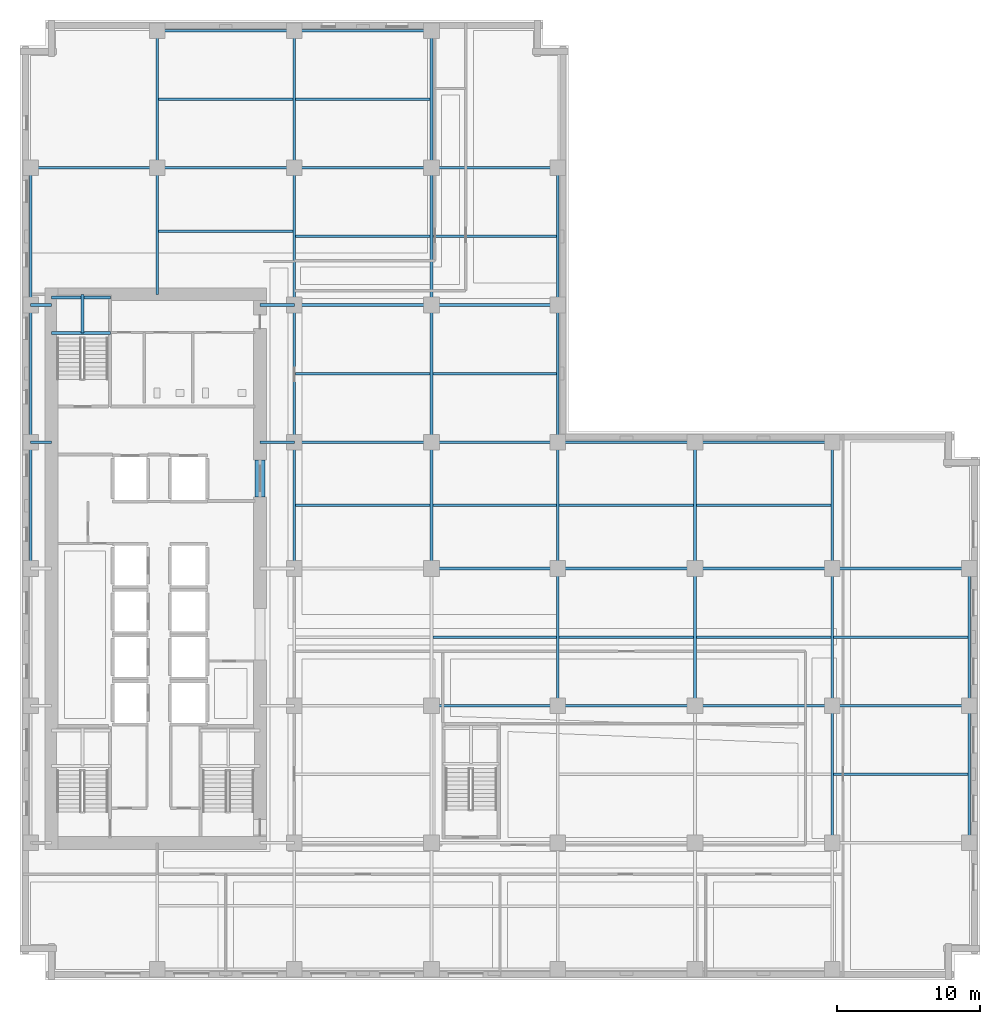
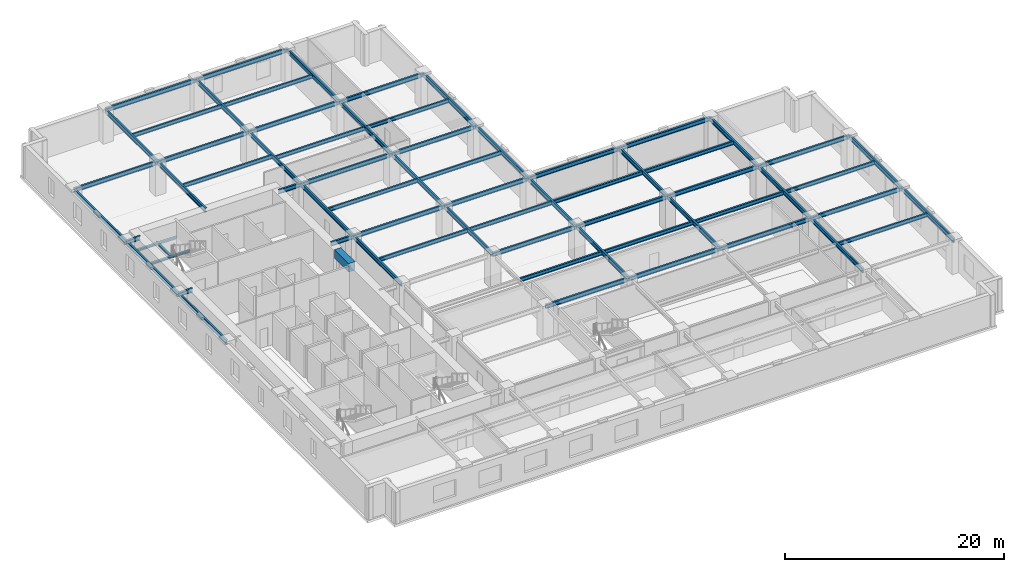
# One storey, part 2 of 13: 68 beams.
"""IFC4 building model written with IfcOpenShell, lengths in metres."""

from ifc_helpers import new_model, si_unit, direction, frame, origin, origin_2d, place, context, subcontext, project, spatial, rectangle, i_section, extrude, material, material_profile, profile_set, type_object, element, save


model = new_model("IFC4")

# Units and contexts
model_context = context("Model", 3, precision=1e-05, world=origin(), true_north=direction((0.0, 1.0)))
body_context = subcontext(model_context, "Body", "Model", "MODEL_VIEW")
ifc_project = project(units=[si_unit("LENGTHUNIT", "METRE"), si_unit("AREAUNIT", "SQUARE_METRE"), si_unit("VOLUMEUNIT", "CUBIC_METRE"), si_unit("PLANEANGLEUNIT", "RADIAN"), si_unit("MASSUNIT", "GRAM", prefix="KILO")], contexts=[model_context])

# Site, building, storey
site_placement = place(None, origin())
site = spatial("IfcSite", under=ifc_project, at=site_placement, CompositionType="ELEMENT")
building_placement = place(site_placement, origin())
building = spatial("IfcBuilding", under=site, at=building_placement, Name="Norrvale University Quadrangle", CompositionType="ELEMENT")
storey_placement = place(building_placement, frame((0.0, 0.0, 81.199951171875)))
storey = spatial("IfcBuildingStorey", under=building, at=storey_placement, Name="L20", CompositionType="ELEMENT", Elevation=81.199951171875)

# Beams
ifc_material_1 = material(Name="Steel 350W", Category="steel")
ifc_material_profile_1 = material_profile(ifc_material_1, i_section(OverallWidth=0.180908203125, OverallDepth=0.4169921875, WebThickness=0.010986328125, FlangeThickness=0.018310546875, FilletRadius=0.011962890625, at=origin_2d()), Name="Steel 350W")
ifc_profile_set_1 = profile_set([ifc_material_profile_1], Name="Steel 350W")
beam_type_1 = type_object("IfcBeamType", Name="Beam Atrium W410x85", PredefinedType="BEAM", material=ifc_profile_set_1)
beam_1_placement = place(storey_placement, frame((9.697021484375, 61.64990234375, 3.33154296875), z_axis=(1.0, 0.0, 0.0), x_axis=(0.0, 1.0, 0.0)))
element("IfcBeam", 1, at=beam_1_placement, inside=storey, type_object=beam_type_1, Name="Beam Atrium W410x85 BM-L20-J079", PredefinedType="BEAM", context=body_context, shape_type="SweptSolid", body=[
    extrude(i_section(OverallWidth=0.180908203125, OverallDepth=0.4169921875, WebThickness=0.010986328125, FlangeThickness=0.018310546875, FilletRadius=0.011962890625, at=origin_2d()), origin(), (0.0, 0.0, 1.0), 9.406005859375),
])
for number, where, z_axis, x_axis, name in (
    (2, (19.297119140625, 33.22509765625, 3.33154296875), (1.0, 0.0, 0.0), (0.0, 1.0, 0.0), "Beam Atrium W410x85 BM-L20-J083"),
    (3, (19.297119140625, 42.449951171875, 3.33154296875), (1.0, 0.0, 0.0), (0.0, 1.0, 0.0), "Beam Atrium W410x85 BM-L20-J084"),
    (4, (19.297119140625, 52.050048828125, 3.33154296875), (1.0, 0.0, 0.0), (0.0, 1.0, 0.0), "Beam Atrium W410x85 BM-L20-J085"),
    (5, (19.297119140625, 61.64990234375, 3.33154296875), (1.0, 0.0, 0.0), (0.0, 1.0, 0.0), "Beam Atrium W410x85 BM-L20-J086"),
):
    element("IfcBeam", number, at=place(storey_placement, frame(where, z_axis=z_axis, x_axis=x_axis)), inside=storey, type_object=beam_type_1, Name=name, PredefinedType="BEAM", context=body_context, shape_type="SweptSolid", body=[
        extrude(i_section(OverallWidth=0.180908203125, OverallDepth=0.4169921875, WebThickness=0.010986328125, FlangeThickness=0.018310546875, FilletRadius=0.011962890625, at=origin_2d()), origin(), (0.0, 0.0, 1.0), 9.40576171875),
    ])
for number, where, z_axis, x_axis, name in (
    (6, (28.89697265625, 24.0, 3.33154296875), (1.0, 0.0, 0.0), (0.0, 1.0, 0.0), "Beam Atrium W410x85 BM-L20-J088"),
    (7, (28.89697265625, 33.22509765625, 3.33154296875), (1.0, 0.0, 0.0), (0.0, 1.0, 0.0), "Beam Atrium W410x85 BM-L20-J089"),
    (8, (28.89697265625, 42.449951171875, 3.33154296875), (1.0, 0.0, 0.0), (0.0, 1.0, 0.0), "Beam Atrium W410x85 BM-L20-J090"),
    (9, (28.89697265625, 52.050048828125, 3.33154296875), (1.0, 0.0, 0.0), (0.0, 1.0, 0.0), "Beam Atrium W410x85 BM-L20-J091"),
):
    element("IfcBeam", number, at=place(storey_placement, frame(where, z_axis=z_axis, x_axis=x_axis)), inside=storey, type_object=beam_type_1, Name=name, PredefinedType="BEAM", context=body_context, shape_type="SweptSolid", body=[
        extrude(i_section(OverallWidth=0.180908203125, OverallDepth=0.4169921875, WebThickness=0.010986328125, FlangeThickness=0.018310546875, FilletRadius=0.011962890625, at=origin_2d()), origin(), (0.0, 0.0, 1.0), 8.656005859375),
    ])
for number, where, z_axis, x_axis, name in (
    (10, (37.7470703125, 24.0, 3.33154296875), (1.0, 0.0, 0.0), (0.0, 1.0, 0.0), "Beam Atrium W410x85 BM-L20-J094"),
    (11, (37.7470703125, 33.22509765625, 3.33154296875), (1.0, 0.0, 0.0), (0.0, 1.0, 0.0), "Beam Atrium W410x85 BM-L20-J095"),
    (12, (47.346923828125, 24.0, 3.33154296875), (1.0, 0.0, 0.0), (0.0, 1.0, 0.0), "Beam Atrium W410x85 BM-L20-J098"),
    (13, (47.346923828125, 33.22509765625, 3.33154296875), (1.0, 0.0, 0.0), (0.0, 1.0, 0.0), "Beam Atrium W410x85 BM-L20-J099"),
    (14, (56.947021484375, 14.39990234375, 3.33154296875), (1.0, 0.0, 0.0), (0.0, 1.0, 0.0), "Beam Atrium W410x85 BM-L20-J100"),
    (15, (56.947021484375, 24.0, 3.33154296875), (1.0, 0.0, 0.0), (0.0, 1.0, 0.0), "Beam Atrium W410x85 BM-L20-J101"),
    (16, (9.697021484375, 52.39990234375, 3.33154296875), (1.0, 0.0, 0.0), (0.0, 1.0, 0.0), "Beam Atrium W410x85 BM-L20-JCN105"),
):
    element("IfcBeam", number, at=place(storey_placement, frame(where, z_axis=z_axis, x_axis=x_axis)), inside=storey, type_object=beam_type_1, Name=name, PredefinedType="BEAM", context=body_context, shape_type="SweptSolid", body=[
        extrude(i_section(OverallWidth=0.180908203125, OverallDepth=0.4169921875, WebThickness=0.010986328125, FlangeThickness=0.018310546875, FilletRadius=0.011962890625, at=origin_2d()), origin(), (0.0, 0.0, 1.0), 9.406005859375),
    ])
ifc_material_2 = material(Name="Concrete C80/95", Category="concrete")
ifc_material_profile_2 = material_profile(ifc_material_2, rectangle(XDim=0.699951171875, YDim=0.949951171875, at=origin_2d()), Name="Concrete C80/95")
ifc_profile_set_2 = profile_set([ifc_material_profile_2], Name="Concrete C80/95")
beam_type_2 = type_object("IfcBeamType", Name="Beam Core Link 700x950", PredefinedType="LINTEL", material=ifc_profile_set_2)
beam_2_placement = place(storey_placement, frame((16.800048828125, 33.800048828125, 3.06494140625), z_axis=(0.0, 1.0, 0.0), x_axis=(-1.0, 0.0, 0.0)))
element("IfcBeam", 17, at=beam_2_placement, inside=storey, type_object=beam_type_2, Name="Core Coupling Lintel Beam L20-2", PredefinedType="LINTEL", context=body_context, shape_type="SweptSolid", body=[
    extrude(rectangle(XDim=0.699951171875, YDim=0.949951171875, at=origin_2d()), origin(), (0.0, 0.0, 1.0), 2.599853515625),
])
ifc_material_profile_3 = material_profile(ifc_material_1, i_section(OverallWidth=0.194091796875, OverallDepth=0.468994140625, WebThickness=0.0126953125, FlangeThickness=0.0205078125, FilletRadius=0.012939453125, at=origin_2d()), Name="Steel 350W")
ifc_profile_set_3 = profile_set([ifc_material_profile_3], Name="Steel 350W")
beam_type_3 = type_object("IfcBeamType", Name="Beam Floor W460x106", PredefinedType="BEAM", material=ifc_profile_set_3)
beam_3_placement = place(storey_placement, frame((28.800048828125, 19.199951171875, 3.3056640625), z_axis=(1.0, 0.0, 0.0), x_axis=(0.0, 1.0, 0.0)))
element("IfcBeam", 18, at=beam_3_placement, inside=storey, type_object=beam_type_3, Name="Beam Floor W460x106 BM-L20-GX012", PredefinedType="BEAM", context=body_context, shape_type="SweptSolid", body=[
    extrude(i_section(OverallWidth=0.194091796875, OverallDepth=0.468994140625, WebThickness=0.0126953125, FlangeThickness=0.0205078125, FilletRadius=0.012939453125, at=origin_2d()), origin(), (0.0, 0.0, 1.0), 8.849853515625),
])
for number, where, z_axis, x_axis, name in (
    (19, (37.64990234375, 19.199951171875, 3.3056640625), (1.0, 0.0, 0.0), (0.0, 1.0, 0.0), "Beam Floor W460x106 BM-L20-GX013"),
    (20, (47.25, 19.199951171875, 3.3056640625), (1.0, 0.0, 0.0), (0.0, 1.0, 0.0), "Beam Floor W460x106 BM-L20-GX014"),
):
    element("IfcBeam", number, at=place(storey_placement, frame(where, z_axis=z_axis, x_axis=x_axis)), inside=storey, type_object=beam_type_3, Name=name, PredefinedType="BEAM", context=body_context, shape_type="SweptSolid", body=[
        extrude(i_section(OverallWidth=0.194091796875, OverallDepth=0.468994140625, WebThickness=0.0126953125, FlangeThickness=0.0205078125, FilletRadius=0.012939453125, at=origin_2d()), origin(), (0.0, 0.0, 1.0), 9.60009765625),
    ])
beam_4_placement = place(storey_placement, frame((56.85009765625, 19.199951171875, 3.3056640625), z_axis=(1.0, 0.0, 0.0), x_axis=(0.0, 1.0, 0.0)))
element("IfcBeam", 21, at=beam_4_placement, inside=storey, type_object=beam_type_3, Name="Beam Floor W460x106 BM-L20-GX015", PredefinedType="BEAM", context=body_context, shape_type="SweptSolid", body=[
    extrude(i_section(OverallWidth=0.194091796875, OverallDepth=0.468994140625, WebThickness=0.0126953125, FlangeThickness=0.0205078125, FilletRadius=0.012939453125, at=origin_2d()), origin(), (0.0, 0.0, 1.0), 9.599853515625),
])
beam_5_placement = place(storey_placement, frame((28.800048828125, 28.800048828125, 3.3056640625), z_axis=(1.0, 0.0, 0.0), x_axis=(0.0, 1.0, 0.0)))
element("IfcBeam", 22, at=beam_5_placement, inside=storey, type_object=beam_type_3, Name="Beam Floor W460x106 BM-L20-GX017", PredefinedType="BEAM", context=body_context, shape_type="SweptSolid", body=[
    extrude(i_section(OverallWidth=0.194091796875, OverallDepth=0.468994140625, WebThickness=0.0126953125, FlangeThickness=0.0205078125, FilletRadius=0.012939453125, at=origin_2d()), origin(), (0.0, 0.0, 1.0), 8.849853515625),
])
for number, where, z_axis, x_axis, name in (
    (23, (37.64990234375, 28.800048828125, 3.3056640625), (1.0, 0.0, 0.0), (0.0, 1.0, 0.0), "Beam Floor W460x106 BM-L20-GX018"),
    (24, (47.25, 28.800048828125, 3.3056640625), (1.0, 0.0, 0.0), (0.0, 1.0, 0.0), "Beam Floor W460x106 BM-L20-GX019"),
):
    element("IfcBeam", number, at=place(storey_placement, frame(where, z_axis=z_axis, x_axis=x_axis)), inside=storey, type_object=beam_type_3, Name=name, PredefinedType="BEAM", context=body_context, shape_type="SweptSolid", body=[
        extrude(i_section(OverallWidth=0.194091796875, OverallDepth=0.468994140625, WebThickness=0.0126953125, FlangeThickness=0.0205078125, FilletRadius=0.012939453125, at=origin_2d()), origin(), (0.0, 0.0, 1.0), 9.60009765625),
    ])
beam_6_placement = place(storey_placement, frame((56.85009765625, 28.800048828125, 3.3056640625), z_axis=(1.0, 0.0, 0.0), x_axis=(0.0, 1.0, 0.0)))
element("IfcBeam", 25, at=beam_6_placement, inside=storey, type_object=beam_type_3, Name="Beam Floor W460x106 BM-L20-GX020", PredefinedType="BEAM", context=body_context, shape_type="SweptSolid", body=[
    extrude(i_section(OverallWidth=0.194091796875, OverallDepth=0.468994140625, WebThickness=0.0126953125, FlangeThickness=0.0205078125, FilletRadius=0.012939453125, at=origin_2d()), origin(), (0.0, 0.0, 1.0), 9.599853515625),
])
beam_7_placement = place(storey_placement, frame((19.199951171875, 37.64990234375, 3.3056640625), z_axis=(1.0, 0.0, 0.0), x_axis=(0.0, 1.0, 0.0)))
element("IfcBeam", 26, at=beam_7_placement, inside=storey, type_object=beam_type_3, Name="Beam Floor W460x106 BM-L20-GX021", PredefinedType="BEAM", context=body_context, shape_type="SweptSolid", body=[
    extrude(i_section(OverallWidth=0.194091796875, OverallDepth=0.468994140625, WebThickness=0.0126953125, FlangeThickness=0.0205078125, FilletRadius=0.012939453125, at=origin_2d()), origin(), (0.0, 0.0, 1.0), 9.60009765625),
])
beam_8_placement = place(storey_placement, frame((28.800048828125, 37.64990234375, 3.3056640625), z_axis=(1.0, 0.0, 0.0), x_axis=(0.0, 1.0, 0.0)))
element("IfcBeam", 27, at=beam_8_placement, inside=storey, type_object=beam_type_3, Name="Beam Floor W460x106 BM-L20-GX022", PredefinedType="BEAM", context=body_context, shape_type="SweptSolid", body=[
    extrude(i_section(OverallWidth=0.194091796875, OverallDepth=0.468994140625, WebThickness=0.0126953125, FlangeThickness=0.0205078125, FilletRadius=0.012939453125, at=origin_2d()), origin(), (0.0, 0.0, 1.0), 8.849853515625),
])
for number, where, z_axis, x_axis, name in (
    (28, (37.64990234375, 37.64990234375, 3.3056640625), (1.0, 0.0, 0.0), (0.0, 1.0, 0.0), "Beam Floor W460x106 BM-L20-GX023"),
    (29, (47.25, 37.64990234375, 3.3056640625), (1.0, 0.0, 0.0), (0.0, 1.0, 0.0), "Beam Floor W460x106 BM-L20-GX024"),
    (30, (19.199951171875, 47.25, 3.3056640625), (1.0, 0.0, 0.0), (0.0, 1.0, 0.0), "Beam Floor W460x106 BM-L20-GX025"),
):
    element("IfcBeam", number, at=place(storey_placement, frame(where, z_axis=z_axis, x_axis=x_axis)), inside=storey, type_object=beam_type_3, Name=name, PredefinedType="BEAM", context=body_context, shape_type="SweptSolid", body=[
        extrude(i_section(OverallWidth=0.194091796875, OverallDepth=0.468994140625, WebThickness=0.0126953125, FlangeThickness=0.0205078125, FilletRadius=0.012939453125, at=origin_2d()), origin(), (0.0, 0.0, 1.0), 9.60009765625),
    ])
beam_9_placement = place(storey_placement, frame((28.800048828125, 47.25, 3.3056640625), z_axis=(1.0, 0.0, 0.0), x_axis=(0.0, 1.0, 0.0)))
element("IfcBeam", 31, at=beam_9_placement, inside=storey, type_object=beam_type_3, Name="Beam Floor W460x106 BM-L20-GX026", PredefinedType="BEAM", context=body_context, shape_type="SweptSolid", body=[
    extrude(i_section(OverallWidth=0.194091796875, OverallDepth=0.468994140625, WebThickness=0.0126953125, FlangeThickness=0.0205078125, FilletRadius=0.012939453125, at=origin_2d()), origin(), (0.0, 0.0, 1.0), 8.849853515625),
])
beam_10_placement = place(storey_placement, frame((0.75, 56.85009765625, 3.3056640625), z_axis=(1.0, 0.0, 0.0), x_axis=(0.0, 1.0, 0.0)))
element("IfcBeam", 32, at=beam_10_placement, inside=storey, type_object=beam_type_3, Name="Beam Floor W460x106 BM-L20-GX027", PredefinedType="BEAM", context=body_context, shape_type="SweptSolid", body=[
    extrude(i_section(OverallWidth=0.194091796875, OverallDepth=0.468994140625, WebThickness=0.0126953125, FlangeThickness=0.0205078125, FilletRadius=0.012939453125, at=origin_2d()), origin(), (0.0, 0.0, 1.0), 8.85009765625),
])
beam_11_placement = place(storey_placement, frame((9.60009765625, 56.85009765625, 3.3056640625), z_axis=(1.0, 0.0, 0.0), x_axis=(0.0, 1.0, 0.0)))
element("IfcBeam", 33, at=beam_11_placement, inside=storey, type_object=beam_type_3, Name="Beam Floor W460x106 BM-L20-GX028", PredefinedType="BEAM", context=body_context, shape_type="SweptSolid", body=[
    extrude(i_section(OverallWidth=0.194091796875, OverallDepth=0.468994140625, WebThickness=0.0126953125, FlangeThickness=0.0205078125, FilletRadius=0.012939453125, at=origin_2d()), origin(), (0.0, 0.0, 1.0), 9.599853515625),
])
beam_12_placement = place(storey_placement, frame((19.199951171875, 56.85009765625, 3.3056640625), z_axis=(1.0, 0.0, 0.0), x_axis=(0.0, 1.0, 0.0)))
element("IfcBeam", 34, at=beam_12_placement, inside=storey, type_object=beam_type_3, Name="Beam Floor W460x106 BM-L20-GX029", PredefinedType="BEAM", context=body_context, shape_type="SweptSolid", body=[
    extrude(i_section(OverallWidth=0.194091796875, OverallDepth=0.468994140625, WebThickness=0.0126953125, FlangeThickness=0.0205078125, FilletRadius=0.012939453125, at=origin_2d()), origin(), (0.0, 0.0, 1.0), 9.60009765625),
])
beam_13_placement = place(storey_placement, frame((28.800048828125, 56.85009765625, 3.3056640625), z_axis=(1.0, 0.0, 0.0), x_axis=(0.0, 1.0, 0.0)))
element("IfcBeam", 35, at=beam_13_placement, inside=storey, type_object=beam_type_3, Name="Beam Floor W460x106 BM-L20-GX030", PredefinedType="BEAM", context=body_context, shape_type="SweptSolid", body=[
    extrude(i_section(OverallWidth=0.194091796875, OverallDepth=0.468994140625, WebThickness=0.0126953125, FlangeThickness=0.0205078125, FilletRadius=0.012939453125, at=origin_2d()), origin(), (0.0, 0.0, 1.0), 8.849853515625),
])
beam_14_placement = place(storey_placement, frame((9.60009765625, 66.449951171875, 3.3056640625), z_axis=(1.0, 0.0, 0.0), x_axis=(0.0, 1.0, 0.0)))
element("IfcBeam", 36, at=beam_14_placement, inside=storey, type_object=beam_type_3, Name="Beam Floor W460x106 BM-L20-GX031", PredefinedType="BEAM", context=body_context, shape_type="SweptSolid", body=[
    extrude(i_section(OverallWidth=0.194091796875, OverallDepth=0.468994140625, WebThickness=0.0126953125, FlangeThickness=0.0205078125, FilletRadius=0.012939453125, at=origin_2d()), origin(), (0.0, 0.0, 1.0), 9.599853515625),
])
beam_15_placement = place(storey_placement, frame((19.199951171875, 66.449951171875, 3.3056640625), z_axis=(1.0, 0.0, 0.0), x_axis=(0.0, 1.0, 0.0)))
element("IfcBeam", 37, at=beam_15_placement, inside=storey, type_object=beam_type_3, Name="Beam Floor W460x106 BM-L20-GX032", PredefinedType="BEAM", context=body_context, shape_type="SweptSolid", body=[
    extrude(i_section(OverallWidth=0.194091796875, OverallDepth=0.468994140625, WebThickness=0.0126953125, FlangeThickness=0.0205078125, FilletRadius=0.012939453125, at=origin_2d()), origin(), (0.0, 0.0, 1.0), 9.60009765625),
])
beam_16_placement = place(storey_placement, frame((0.75, 28.800048828125, 3.3056640625), z_axis=(0.0, 1.0, 0.0), x_axis=(-1.0, 0.0, 0.0)))
element("IfcBeam", 38, at=beam_16_placement, inside=storey, type_object=beam_type_3, Name="Beam Floor W460x106 BM-L20-GY035", PredefinedType="BEAM", context=body_context, shape_type="SweptSolid", body=[
    extrude(i_section(OverallWidth=0.194091796875, OverallDepth=0.468994140625, WebThickness=0.0126953125, FlangeThickness=0.0205078125, FilletRadius=0.012939453125, at=origin_2d()), origin(), (0.0, 0.0, 1.0), 8.849853515625),
])
for number, where, z_axis, x_axis, name in (
    (39, (0.75, 37.64990234375, 3.3056640625), (0.0, 1.0, 0.0), (-1.0, 0.0, 0.0), "Beam Floor W460x106 BM-L20-GY036"),
    (40, (0.75, 47.25, 3.3056640625), (0.0, 1.0, 0.0), (-1.0, 0.0, 0.0), "Beam Floor W460x106 BM-L20-GY037"),
):
    element("IfcBeam", number, at=place(storey_placement, frame(where, z_axis=z_axis, x_axis=x_axis)), inside=storey, type_object=beam_type_3, Name=name, PredefinedType="BEAM", context=body_context, shape_type="SweptSolid", body=[
        extrude(i_section(OverallWidth=0.194091796875, OverallDepth=0.468994140625, WebThickness=0.0126953125, FlangeThickness=0.0205078125, FilletRadius=0.012939453125, at=origin_2d()), origin(), (0.0, 0.0, 1.0), 9.60009765625),
    ])
beam_17_placement = place(storey_placement, frame((9.60009765625, 56.85009765625, 3.3056640625), z_axis=(0.0, 1.0, 0.0), x_axis=(-1.0, 0.0, 0.0)))
element("IfcBeam", 41, at=beam_17_placement, inside=storey, type_object=beam_type_3, Name="Beam Floor W460x106 BM-L20-GY038", PredefinedType="BEAM", context=body_context, shape_type="SweptSolid", body=[
    extrude(i_section(OverallWidth=0.194091796875, OverallDepth=0.468994140625, WebThickness=0.0126953125, FlangeThickness=0.0205078125, FilletRadius=0.012939453125, at=origin_2d()), origin(), (0.0, 0.0, 1.0), 9.599853515625),
])
beam_18_placement = place(storey_placement, frame((19.199951171875, 28.800048828125, 3.3056640625), z_axis=(0.0, 1.0, 0.0), x_axis=(-1.0, 0.0, 0.0)))
element("IfcBeam", 42, at=beam_18_placement, inside=storey, type_object=beam_type_3, Name="Beam Floor W460x106 BM-L20-GY042", PredefinedType="BEAM", context=body_context, shape_type="SweptSolid", body=[
    extrude(i_section(OverallWidth=0.194091796875, OverallDepth=0.468994140625, WebThickness=0.0126953125, FlangeThickness=0.0205078125, FilletRadius=0.012939453125, at=origin_2d()), origin(), (0.0, 0.0, 1.0), 8.849853515625),
])
for number, where, z_axis, x_axis, name in (
    (43, (19.199951171875, 37.64990234375, 3.3056640625), (0.0, 1.0, 0.0), (-1.0, 0.0, 0.0), "Beam Floor W460x106 BM-L20-GY043"),
    (44, (19.199951171875, 47.25, 3.3056640625), (0.0, 1.0, 0.0), (-1.0, 0.0, 0.0), "Beam Floor W460x106 BM-L20-GY044"),
):
    element("IfcBeam", number, at=place(storey_placement, frame(where, z_axis=z_axis, x_axis=x_axis)), inside=storey, type_object=beam_type_3, Name=name, PredefinedType="BEAM", context=body_context, shape_type="SweptSolid", body=[
        extrude(i_section(OverallWidth=0.194091796875, OverallDepth=0.468994140625, WebThickness=0.0126953125, FlangeThickness=0.0205078125, FilletRadius=0.012939453125, at=origin_2d()), origin(), (0.0, 0.0, 1.0), 9.60009765625),
    ])
beam_19_placement = place(storey_placement, frame((19.199951171875, 56.85009765625, 3.3056640625), z_axis=(0.0, 1.0, 0.0), x_axis=(-1.0, 0.0, 0.0)))
element("IfcBeam", 45, at=beam_19_placement, inside=storey, type_object=beam_type_3, Name="Beam Floor W460x106 BM-L20-GY045", PredefinedType="BEAM", context=body_context, shape_type="SweptSolid", body=[
    extrude(i_section(OverallWidth=0.194091796875, OverallDepth=0.468994140625, WebThickness=0.0126953125, FlangeThickness=0.0205078125, FilletRadius=0.012939453125, at=origin_2d()), origin(), (0.0, 0.0, 1.0), 9.599853515625),
])
beam_20_placement = place(storey_placement, frame((28.800048828125, 28.800048828125, 3.3056640625), z_axis=(0.0, 1.0, 0.0), x_axis=(-1.0, 0.0, 0.0)))
element("IfcBeam", 46, at=beam_20_placement, inside=storey, type_object=beam_type_3, Name="Beam Floor W460x106 BM-L20-GY049", PredefinedType="BEAM", context=body_context, shape_type="SweptSolid", body=[
    extrude(i_section(OverallWidth=0.194091796875, OverallDepth=0.468994140625, WebThickness=0.0126953125, FlangeThickness=0.0205078125, FilletRadius=0.012939453125, at=origin_2d()), origin(), (0.0, 0.0, 1.0), 8.849853515625),
])
for number, where, z_axis, x_axis, name in (
    (47, (28.800048828125, 37.64990234375, 3.3056640625), (0.0, 1.0, 0.0), (-1.0, 0.0, 0.0), "Beam Floor W460x106 BM-L20-GY050"),
    (48, (28.800048828125, 47.25, 3.3056640625), (0.0, 1.0, 0.0), (-1.0, 0.0, 0.0), "Beam Floor W460x106 BM-L20-GY051"),
):
    element("IfcBeam", number, at=place(storey_placement, frame(where, z_axis=z_axis, x_axis=x_axis)), inside=storey, type_object=beam_type_3, Name=name, PredefinedType="BEAM", context=body_context, shape_type="SweptSolid", body=[
        extrude(i_section(OverallWidth=0.194091796875, OverallDepth=0.468994140625, WebThickness=0.0126953125, FlangeThickness=0.0205078125, FilletRadius=0.012939453125, at=origin_2d()), origin(), (0.0, 0.0, 1.0), 9.60009765625),
    ])
beam_21_placement = place(storey_placement, frame((28.800048828125, 56.85009765625, 3.3056640625), z_axis=(0.0, 1.0, 0.0), x_axis=(-1.0, 0.0, 0.0)))
element("IfcBeam", 49, at=beam_21_placement, inside=storey, type_object=beam_type_3, Name="Beam Floor W460x106 BM-L20-GY052", PredefinedType="BEAM", context=body_context, shape_type="SweptSolid", body=[
    extrude(i_section(OverallWidth=0.194091796875, OverallDepth=0.468994140625, WebThickness=0.0126953125, FlangeThickness=0.0205078125, FilletRadius=0.012939453125, at=origin_2d()), origin(), (0.0, 0.0, 1.0), 9.599853515625),
])
beam_22_placement = place(storey_placement, frame((37.64990234375, 19.199951171875, 3.3056640625), z_axis=(0.0, 1.0, 0.0), x_axis=(-1.0, 0.0, 0.0)))
element("IfcBeam", 50, at=beam_22_placement, inside=storey, type_object=beam_type_3, Name="Beam Floor W460x106 BM-L20-GY055", PredefinedType="BEAM", context=body_context, shape_type="SweptSolid", body=[
    extrude(i_section(OverallWidth=0.194091796875, OverallDepth=0.468994140625, WebThickness=0.0126953125, FlangeThickness=0.0205078125, FilletRadius=0.012939453125, at=origin_2d()), origin(), (0.0, 0.0, 1.0), 9.60009765625),
])
beam_23_placement = place(storey_placement, frame((37.64990234375, 28.800048828125, 3.3056640625), z_axis=(0.0, 1.0, 0.0), x_axis=(-1.0, 0.0, 0.0)))
element("IfcBeam", 51, at=beam_23_placement, inside=storey, type_object=beam_type_3, Name="Beam Floor W460x106 BM-L20-GY056", PredefinedType="BEAM", context=body_context, shape_type="SweptSolid", body=[
    extrude(i_section(OverallWidth=0.194091796875, OverallDepth=0.468994140625, WebThickness=0.0126953125, FlangeThickness=0.0205078125, FilletRadius=0.012939453125, at=origin_2d()), origin(), (0.0, 0.0, 1.0), 8.849853515625),
])
for number, where, z_axis, x_axis, name in (
    (52, (37.64990234375, 37.64990234375, 3.3056640625), (0.0, 1.0, 0.0), (-1.0, 0.0, 0.0), "Beam Floor W460x106 BM-L20-GY057"),
    (53, (37.64990234375, 47.25, 3.3056640625), (0.0, 1.0, 0.0), (-1.0, 0.0, 0.0), "Beam Floor W460x106 BM-L20-GY058"),
    (54, (47.25, 19.199951171875, 3.3056640625), (0.0, 1.0, 0.0), (-1.0, 0.0, 0.0), "Beam Floor W460x106 BM-L20-GY061"),
):
    element("IfcBeam", number, at=place(storey_placement, frame(where, z_axis=z_axis, x_axis=x_axis)), inside=storey, type_object=beam_type_3, Name=name, PredefinedType="BEAM", context=body_context, shape_type="SweptSolid", body=[
        extrude(i_section(OverallWidth=0.194091796875, OverallDepth=0.468994140625, WebThickness=0.0126953125, FlangeThickness=0.0205078125, FilletRadius=0.012939453125, at=origin_2d()), origin(), (0.0, 0.0, 1.0), 9.60009765625),
    ])
beam_24_placement = place(storey_placement, frame((47.25, 28.800048828125, 3.3056640625), z_axis=(0.0, 1.0, 0.0), x_axis=(-1.0, 0.0, 0.0)))
element("IfcBeam", 55, at=beam_24_placement, inside=storey, type_object=beam_type_3, Name="Beam Floor W460x106 BM-L20-GY062", PredefinedType="BEAM", context=body_context, shape_type="SweptSolid", body=[
    extrude(i_section(OverallWidth=0.194091796875, OverallDepth=0.468994140625, WebThickness=0.0126953125, FlangeThickness=0.0205078125, FilletRadius=0.012939453125, at=origin_2d()), origin(), (0.0, 0.0, 1.0), 8.849853515625),
])
beam_25_placement = place(storey_placement, frame((56.85009765625, 9.60009765625, 3.3056640625), z_axis=(0.0, 1.0, 0.0), x_axis=(-1.0, 0.0, 0.0)))
element("IfcBeam", 56, at=beam_25_placement, inside=storey, type_object=beam_type_3, Name="Beam Floor W460x106 BM-L20-GY064", PredefinedType="BEAM", context=body_context, shape_type="SweptSolid", body=[
    extrude(i_section(OverallWidth=0.194091796875, OverallDepth=0.468994140625, WebThickness=0.0126953125, FlangeThickness=0.0205078125, FilletRadius=0.012939453125, at=origin_2d()), origin(), (0.0, 0.0, 1.0), 9.599853515625),
])
beam_26_placement = place(storey_placement, frame((56.85009765625, 19.199951171875, 3.3056640625), z_axis=(0.0, 1.0, 0.0), x_axis=(-1.0, 0.0, 0.0)))
element("IfcBeam", 57, at=beam_26_placement, inside=storey, type_object=beam_type_3, Name="Beam Floor W460x106 BM-L20-GY065", PredefinedType="BEAM", context=body_context, shape_type="SweptSolid", body=[
    extrude(i_section(OverallWidth=0.194091796875, OverallDepth=0.468994140625, WebThickness=0.0126953125, FlangeThickness=0.0205078125, FilletRadius=0.012939453125, at=origin_2d()), origin(), (0.0, 0.0, 1.0), 9.60009765625),
])
beam_27_placement = place(storey_placement, frame((56.85009765625, 28.800048828125, 3.3056640625), z_axis=(0.0, 1.0, 0.0), x_axis=(-1.0, 0.0, 0.0)))
element("IfcBeam", 58, at=beam_27_placement, inside=storey, type_object=beam_type_3, Name="Beam Floor W460x106 BM-L20-GY066", PredefinedType="BEAM", context=body_context, shape_type="SweptSolid", body=[
    extrude(i_section(OverallWidth=0.194091796875, OverallDepth=0.468994140625, WebThickness=0.0126953125, FlangeThickness=0.0205078125, FilletRadius=0.012939453125, at=origin_2d()), origin(), (0.0, 0.0, 1.0), 8.849853515625),
])
beam_28_placement = place(storey_placement, frame((66.449951171875, 9.60009765625, 3.3056640625), z_axis=(0.0, 1.0, 0.0), x_axis=(-1.0, 0.0, 0.0)))
element("IfcBeam", 59, at=beam_28_placement, inside=storey, type_object=beam_type_3, Name="Beam Floor W460x106 BM-L20-GY067", PredefinedType="BEAM", context=body_context, shape_type="SweptSolid", body=[
    extrude(i_section(OverallWidth=0.194091796875, OverallDepth=0.468994140625, WebThickness=0.0126953125, FlangeThickness=0.0205078125, FilletRadius=0.012939453125, at=origin_2d()), origin(), (0.0, 0.0, 1.0), 9.599853515625),
])
beam_29_placement = place(storey_placement, frame((66.449951171875, 19.199951171875, 3.3056640625), z_axis=(0.0, 1.0, 0.0), x_axis=(-1.0, 0.0, 0.0)))
element("IfcBeam", 60, at=beam_29_placement, inside=storey, type_object=beam_type_3, Name="Beam Floor W460x106 BM-L20-GY068", PredefinedType="BEAM", context=body_context, shape_type="SweptSolid", body=[
    extrude(i_section(OverallWidth=0.194091796875, OverallDepth=0.468994140625, WebThickness=0.0126953125, FlangeThickness=0.0205078125, FilletRadius=0.012939453125, at=origin_2d()), origin(), (0.0, 0.0, 1.0), 9.60009765625),
])
beam_30_placement = place(storey_placement, frame((0.75, 37.64990234375, 3.3056640625), z_axis=(1.0, 0.0, 0.0), x_axis=(0.0, 1.0, 0.0)))
element("IfcBeam", 61, at=beam_30_placement, inside=storey, type_object=beam_type_3, Name="Beam Floor W460x106 BM-L20-GCW075", PredefinedType="BEAM", context=body_context, shape_type="SweptSolid", body=[
    extrude(i_section(OverallWidth=0.194091796875, OverallDepth=0.468994140625, WebThickness=0.0126953125, FlangeThickness=0.0205078125, FilletRadius=0.012939453125, at=origin_2d()), origin(), (0.0, 0.0, 1.0), 1.449951171875),
])
beam_31_placement = place(storey_placement, frame((16.800048828125, 37.64990234375, 3.3056640625), z_axis=(1.0, 0.0, 0.0), x_axis=(0.0, 1.0, 0.0)))
element("IfcBeam", 62, at=beam_31_placement, inside=storey, type_object=beam_type_3, Name="Beam Floor W460x106 BM-L20-GCE076", PredefinedType="BEAM", context=body_context, shape_type="SweptSolid", body=[
    extrude(i_section(OverallWidth=0.194091796875, OverallDepth=0.468994140625, WebThickness=0.0126953125, FlangeThickness=0.0205078125, FilletRadius=0.012939453125, at=origin_2d()), origin(), (0.0, 0.0, 1.0), 2.39990234375),
])
beam_32_placement = place(storey_placement, frame((0.75, 47.25, 3.3056640625), z_axis=(1.0, 0.0, 0.0), x_axis=(0.0, 1.0, 0.0)))
element("IfcBeam", 63, at=beam_32_placement, inside=storey, type_object=beam_type_3, Name="Beam Floor W460x106 BM-L20-GCW077", PredefinedType="BEAM", context=body_context, shape_type="SweptSolid", body=[
    extrude(i_section(OverallWidth=0.194091796875, OverallDepth=0.468994140625, WebThickness=0.0126953125, FlangeThickness=0.0205078125, FilletRadius=0.012939453125, at=origin_2d()), origin(), (0.0, 0.0, 1.0), 1.449951171875),
])
beam_33_placement = place(storey_placement, frame((16.800048828125, 47.25, 3.3056640625), z_axis=(1.0, 0.0, 0.0), x_axis=(0.0, 1.0, 0.0)))
element("IfcBeam", 64, at=beam_33_placement, inside=storey, type_object=beam_type_3, Name="Beam Floor W460x106 BM-L20-GCE078", PredefinedType="BEAM", context=body_context, shape_type="SweptSolid", body=[
    extrude(i_section(OverallWidth=0.194091796875, OverallDepth=0.468994140625, WebThickness=0.0126953125, FlangeThickness=0.0205078125, FilletRadius=0.012939453125, at=origin_2d()), origin(), (0.0, 0.0, 1.0), 2.39990234375),
])
beam_34_placement = place(storey_placement, frame((9.60009765625, 48.0, 3.3056640625), z_axis=(0.0, 1.0, 0.0), x_axis=(-1.0, 0.0, 0.0)))
element("IfcBeam", 65, at=beam_34_placement, inside=storey, type_object=beam_type_3, Name="Beam Floor W460x106 BM-L20-GCN104", PredefinedType="BEAM", context=body_context, shape_type="SweptSolid", body=[
    extrude(i_section(OverallWidth=0.194091796875, OverallDepth=0.468994140625, WebThickness=0.0126953125, FlangeThickness=0.0205078125, FilletRadius=0.012939453125, at=origin_2d()), origin(), (0.0, 0.0, 1.0), 8.85009765625),
])
ifc_material_profile_4 = material_profile(ifc_material_1, i_section(OverallWidth=0.201904296875, OverallDepth=0.2470703125, WebThickness=0.00732421875, FlangeThickness=0.010986328125, FilletRadius=0.011962890625, at=origin_2d()), Name="Steel 350W")
ifc_profile_set_4 = profile_set([ifc_material_profile_4], Name="Steel 350W")
beam_type_4 = type_object("IfcBeamType", Name="Beam Stair W250x49", PredefinedType="BEAM", material=ifc_profile_set_4)
for number, where, z_axis, x_axis, name in (
    (66, (2.199951171875, 45.2900390625, 1.57666015625), (1.0, 0.0, 0.0), (0.0, 1.0, 0.0), "Stair Mid-Landing Front Beam ST-02 L20"),
    (67, (2.199951171875, 47.77001953125, 1.57666015625), (1.0, 0.0, 0.0), (0.0, 1.0, 0.0), "Stair Mid-Landing Rear Beam ST-02 L20"),
):
    element("IfcBeam", number, at=place(storey_placement, frame(where, z_axis=z_axis, x_axis=x_axis)), inside=storey, type_object=beam_type_4, Name=name, PredefinedType="BEAM", context=body_context, shape_type="SweptSolid", body=[
        extrude(i_section(OverallWidth=0.201904296875, OverallDepth=0.2470703125, WebThickness=0.00732421875, FlangeThickness=0.010986328125, FilletRadius=0.011962890625, at=origin_2d()), origin(), (0.0, 0.0, 1.0), 4.14013671875),
    ])
ifc_material_profile_5 = material_profile(ifc_material_1, i_section(OverallWidth=0.202880859375, OverallDepth=0.202880859375, WebThickness=0.007080078125, FlangeThickness=0.010986328125, FilletRadius=0.010009765625, at=origin_2d()), Name="Steel 350W")
ifc_profile_set_5 = profile_set([ifc_material_profile_5], Name="Steel 350W")
beam_type_5 = type_object("IfcBeamType", Name="Beam Trim W200x46", PredefinedType="BEAM", material=ifc_profile_set_5)
beam_35_placement = place(storey_placement, frame((4.375, 45.2900390625, 1.5986328125), z_axis=(0.0, 1.0, 0.0), x_axis=(-1.0, 0.0, 0.0)))
element("IfcBeam", 68, at=beam_35_placement, inside=storey, type_object=beam_type_5, Name="Stair Mid-Landing Cross Beam ST-02 L20", PredefinedType="BEAM", context=body_context, shape_type="SweptSolid", body=[
    extrude(i_section(OverallWidth=0.202880859375, OverallDepth=0.202880859375, WebThickness=0.007080078125, FlangeThickness=0.010986328125, FilletRadius=0.010009765625, at=origin_2d()), origin(), (0.0, 0.0, 1.0), 2.7099609375),
])

save(model, "model.ifc")
